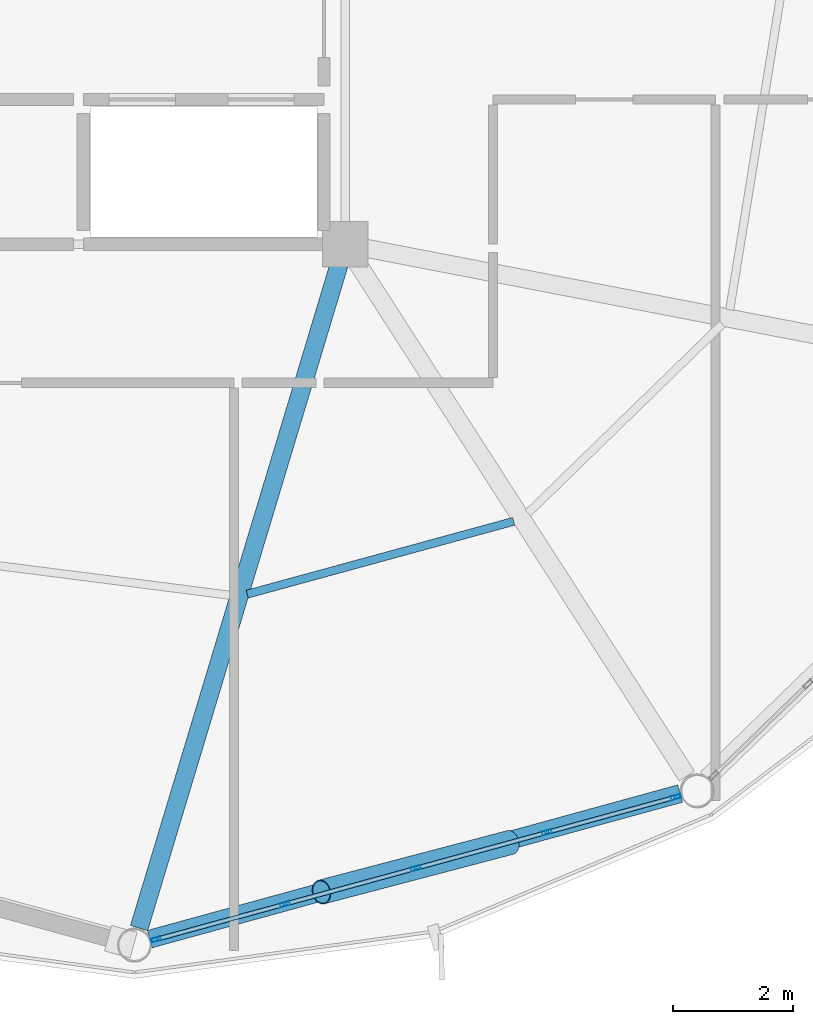
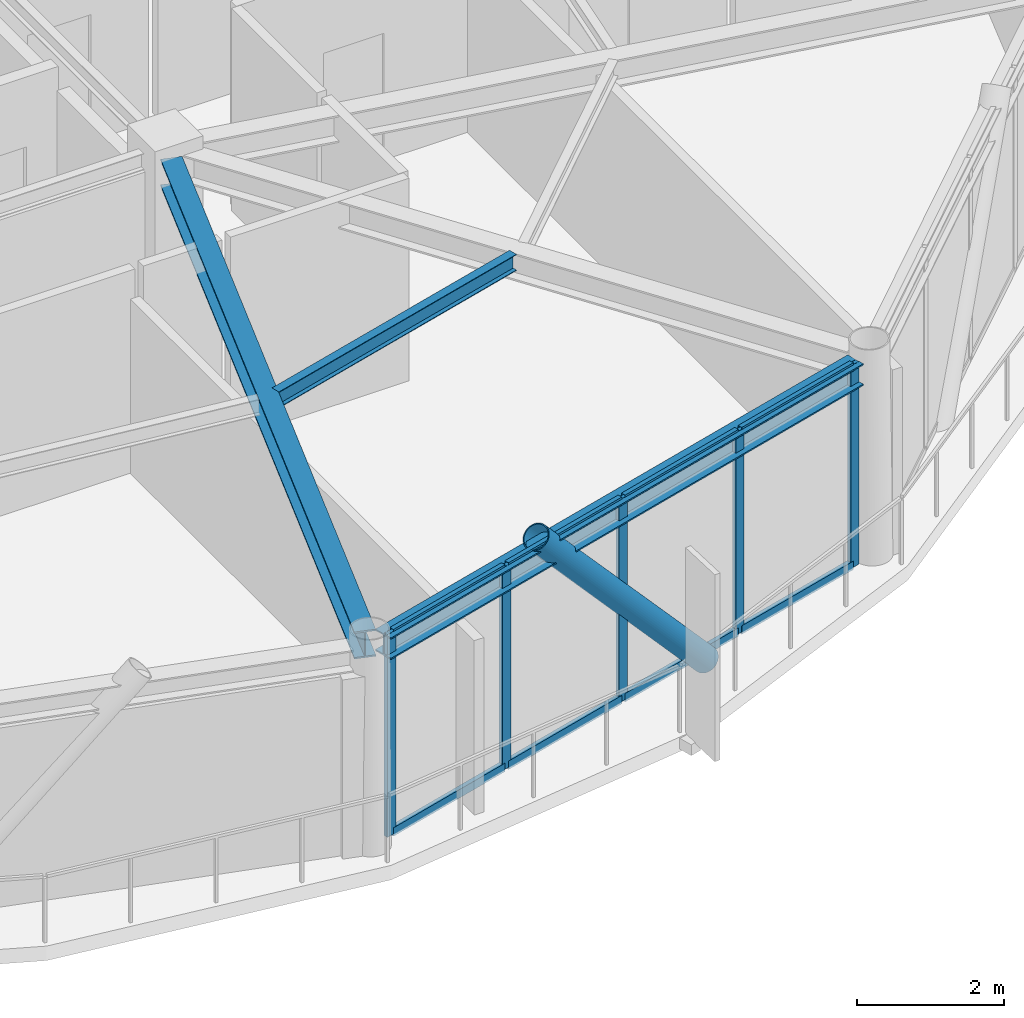
# One storey, part 7 of 27: 14 members, 3 beams, 1 element without a shape of its own.
"""IFC4 building model written with IfcOpenShell, lengths in metres."""

from ifc_helpers import new_model, si_unit, direction, frame, origin, origin_2d, place, context, subcontext, project, spatial, hollow_rectangle, hollow_circle, i_section, extrude, material, layer, layer_set, material_profile, profile_set, type_object, element, aggregate, save


model = new_model("IFC4")

# Units and contexts
model_context = context("Model", 3, precision=1e-05, world=origin(), true_north=direction((0.0, 1.0)))
body_context = subcontext(model_context, "Body", "Model", "MODEL_VIEW")
ifc_project = project(units=[si_unit("LENGTHUNIT", "METRE"), si_unit("AREAUNIT", "SQUARE_METRE"), si_unit("VOLUMEUNIT", "CUBIC_METRE"), si_unit("PLANEANGLEUNIT", "RADIAN"), si_unit("MASSUNIT", "GRAM", prefix="KILO")], contexts=[model_context])

# Site, building, storey
site_placement = place(None, origin())
site = spatial("IfcSite", under=ifc_project, at=site_placement, CompositionType="ELEMENT")
building_placement = place(site_placement, origin())
building = spatial("IfcBuilding", under=site, at=building_placement, Name="Varnakorn Sky Granary", CompositionType="ELEMENT")
storey_placement = place(building_placement, frame((0.0, 0.0, 229.199951171875)))
storey = spatial("IfcBuildingStorey", under=building, at=storey_placement, Name="L58", CompositionType="ELEMENT", Elevation=229.199951171875)

# Beams
ifc_material_1 = material(Name="Steel S355JR", Category="steel")
ifc_material_profile_1 = material_profile(ifc_material_1, i_section(OverallWidth=0.300048828125, OverallDepth=0.449951171875, WebThickness=0.013916015625, FlangeThickness=0.02587890625, at=origin_2d()), Name="HE 450 B")
ifc_profile_set_1 = profile_set([ifc_material_profile_1], Name="Steel S355JR")
beam_type_1 = type_object("IfcBeamType", Name="BM-RAD-Z5", PredefinedType="BEAM", material=ifc_profile_set_1)
beam_1_placement = place(storey_placement, frame((8.24755859375, -6.93994140625, 3.135009765625), z_axis=(-0.288669545209, -0.957428793002, 0.0), x_axis=(0.957428793002, -0.288669545209, 0.0)))
element("IfcBeam", 1, at=beam_1_placement, inside=storey, type_object=beam_type_1, Name="Radial Floor Girder RG10 L58", PredefinedType="BEAM", context=body_context, shape_type="SweptSolid", body=[
    extrude(i_section(OverallWidth=0.300048828125, OverallDepth=0.449951171875, WebThickness=0.013916015625, FlangeThickness=0.02587890625, at=origin_2d()), origin(), (0.0, 0.0, 1.0), 11.504638671875),
])
ifc_material_profile_2 = material_profile(ifc_material_1, i_section(OverallWidth=0.135009765625, OverallDepth=0.27001953125, WebThickness=0.006591796875, FlangeThickness=0.01025390625, at=origin_2d()), Name="IPE 270")
ifc_profile_set_2 = profile_set([ifc_material_profile_2], Name="Steel S355JR")
beam_type_2 = type_object("IfcBeamType", Name="BM-SEC-Z5", PredefinedType="BEAM", material=ifc_profile_set_2)
beam_2_placement = place(storey_placement, frame((6.721923828125, -12.410400390625, 3.22509765625), z_axis=(0.964621220556, 0.263639717899, 0.0), x_axis=(-0.263639717899, 0.964621220556, 0.0)))
element("IfcBeam", 2, at=beam_2_placement, inside=storey, type_object=beam_type_2, Name="Secondary Floor Chord Beam MSB10 L58", PredefinedType="BEAM", context=body_context, shape_type="SweptSolid", body=[
    extrude(i_section(OverallWidth=0.135009765625, OverallDepth=0.27001953125, WebThickness=0.006591796875, FlangeThickness=0.01025390625, at=origin_2d()), origin(), (0.0, 0.0, 1.0), 4.587646484375),
])
ifc_material_profile_3 = material_profile(ifc_material_1, i_section(OverallWidth=0.300048828125, OverallDepth=0.360107421875, WebThickness=0.012451171875, FlangeThickness=0.0224609375, at=origin_2d()), Name="HE 360 B")
ifc_profile_set_3 = profile_set([ifc_material_profile_3], Name="Steel S355JR")
beam_type_3 = type_object("IfcBeamType", Name="BM-SPD-Z5", PredefinedType="SPANDREL", material=ifc_profile_set_3)
beam_3_placement = place(storey_placement, frame((5.10498046875, -18.137939453125, 3.179931640625), z_axis=(0.964351705394, 0.264623861932, 0.0), x_axis=(-0.264623861932, 0.964351705394, 0.0)))
element("IfcBeam", 3, at=beam_3_placement, inside=storey, type_object=beam_type_3, Name="Perimeter Spandrel Ring Beam RB10 L58", PredefinedType="SPANDREL", context=body_context, shape_type="SweptSolid", body=[
    extrude(i_section(OverallWidth=0.300048828125, OverallDepth=0.360107421875, WebThickness=0.012451171875, FlangeThickness=0.0224609375, at=origin_2d()), origin(), (0.0, 0.0, 1.0), 9.130859375),
])

# Curtain wall, members
ifc_material_2 = material(Name="Anodised Bronze Aluminium Alloy 6063-T6", Category="aluminium")
ifc_layer = layer(ifc_material_2, 0.169921875, Name="Anodised Bronze Aluminium Alloy 6063-T6")
ifc_layer_set = layer_set([ifc_layer], Name="Anodised Bronze Aluminium Alloy 6063-T6")
curtain_wall_type = type_object("IfcCurtainWallType", Name="CW-LAB-1", PredefinedType="USERDEFINED", material=ifc_layer_set)
curtain_wall_placement = place(storey_placement, origin())
curtain_wall = element("IfcCurtainWall", 4, at=curtain_wall_placement, inside=storey, type_object=curtain_wall_type, Name="Unitised Curtain Wall CW5 CW-L58-B10", ObjectType="CURTAIN WALL", PredefinedType="USERDEFINED")
ifc_material_profile_4 = material_profile(ifc_material_2, hollow_rectangle(XDim=0.06494140625, YDim=0.159912109375, WallThickness=0.00341796875, at=origin_2d()), Name="ALU MULL 65x160")
ifc_profile_set_4 = profile_set([ifc_material_profile_4], Name="Anodised Bronze Aluminium Alloy 6063-T6")
member_type_1 = type_object("IfcMemberType", Name="CW-LAB-1-MULL", PredefinedType="MULLION", material=ifc_profile_set_4)
member_1_placement = place(storey_placement, frame((13.8408203125, -15.779296875, 0.0), z_axis=(0.0, 0.0, 1.0), x_axis=(0.264172247962, -0.964475517267, 0.0)))
member_1 = element("IfcMember", 5, at=member_1_placement, type_object=member_type_1, Name="CW5 mullion 1", PredefinedType="MULLION", context=body_context, shape_type="SweptSolid", body=[
    extrude(hollow_rectangle(XDim=0.06494140625, YDim=0.159912109375, WallThickness=0.00341796875, at=origin_2d()), origin(), (0.0, 0.0, 1.0), 3.360107421875),
])
member_2_placement = place(storey_placement, frame((11.698486328125, -16.3662109375, 0.0), z_axis=(0.0, 0.0, 1.0), x_axis=(0.264172247962, -0.964475517267, 0.0)))
member_2 = element("IfcMember", 6, at=member_2_placement, type_object=member_type_1, Name="CW5 mullion 2", PredefinedType="MULLION", context=body_context, shape_type="SweptSolid", body=[
    extrude(hollow_rectangle(XDim=0.06494140625, YDim=0.159912109375, WallThickness=0.00341796875, at=origin_2d()), origin(), (0.0, 0.0, 1.0), 3.360107421875),
])
member_3_placement = place(storey_placement, frame((9.524658203125, -16.961669921875, 0.0), z_axis=(0.0, 0.0, 1.0), x_axis=(0.264172247962, -0.964475517267, 0.0)))
member_3 = element("IfcMember", 7, at=member_3_placement, type_object=member_type_1, Name="CW5 mullion 3", PredefinedType="MULLION", context=body_context, shape_type="SweptSolid", body=[
    extrude(hollow_rectangle(XDim=0.06494140625, YDim=0.159912109375, WallThickness=0.00341796875, at=origin_2d()), origin(), (0.0, 0.0, 1.0), 3.360107421875),
])
member_4_placement = place(storey_placement, frame((7.35107421875, -17.556884765625, 0.0), z_axis=(0.0, 0.0, 1.0), x_axis=(0.264172247962, -0.964475517267, 0.0)))
member_4 = element("IfcMember", 8, at=member_4_placement, type_object=member_type_1, Name="CW5 mullion 4", PredefinedType="MULLION", context=body_context, shape_type="SweptSolid", body=[
    extrude(hollow_rectangle(XDim=0.06494140625, YDim=0.159912109375, WallThickness=0.00341796875, at=origin_2d()), origin(), (0.0, 0.0, 1.0), 3.360107421875),
])
member_5_placement = place(storey_placement, frame((5.208740234375, -18.143798828125, 0.0), z_axis=(0.0, 0.0, 1.0), x_axis=(0.264172247962, -0.964475517267, 0.0)))
member_5 = element("IfcMember", 9, at=member_5_placement, type_object=member_type_1, Name="CW5 mullion 5", PredefinedType="MULLION", context=body_context, shape_type="SweptSolid", body=[
    extrude(hollow_rectangle(XDim=0.06494140625, YDim=0.159912109375, WallThickness=0.00341796875, at=origin_2d()), origin(), (0.0, 0.0, 1.0), 3.360107421875),
])
ifc_material_profile_5 = material_profile(ifc_material_2, hollow_rectangle(XDim=0.070068359375, YDim=0.139892578125, WallThickness=0.00341796875, at=origin_2d()), Name="ALU TRAN 70x140")
ifc_profile_set_5 = profile_set([ifc_material_profile_5], Name="Anodised Bronze Aluminium Alloy 6063-T6")
member_type_2 = type_object("IfcMemberType", Name="CW-LAB-1-TRAN", PredefinedType="USERDEFINED", material=ifc_profile_set_5)
member_6_placement = place(storey_placement, frame((13.809326171875, -15.7880859375, 0.03515625), z_axis=(-0.964478443367, -0.264161564731, 0.0), x_axis=(0.264161564731, -0.964478443367, 0.0)))
member_6 = element("IfcMember", 10, at=member_6_placement, type_object=member_type_2, Name="CW5 transom 1.1", ObjectType="TRANSOM", PredefinedType="USERDEFINED", context=body_context, shape_type="SweptSolid", body=[
    extrude(hollow_rectangle(XDim=0.070068359375, YDim=0.139892578125, WallThickness=0.00341796875, at=origin_2d()), origin(), (0.0, 0.0, 1.0), 2.15625),
])
member_7_placement = place(storey_placement, frame((13.809326171875, -15.7880859375, 3.324951171875), z_axis=(-0.964478443367, -0.264161564731, 0.0), x_axis=(0.264161564731, -0.964478443367, 0.0)))
member_7 = element("IfcMember", 11, at=member_7_placement, type_object=member_type_2, Name="CW5 transom 1.2", ObjectType="TRANSOM", PredefinedType="USERDEFINED", context=body_context, shape_type="SweptSolid", body=[
    extrude(hollow_rectangle(XDim=0.070068359375, YDim=0.139892578125, WallThickness=0.00341796875, at=origin_2d()), origin(), (0.0, 0.0, 1.0), 2.15625),
])
member_8_placement = place(storey_placement, frame((11.6669921875, -16.374755859375, 0.03515625), z_axis=(-0.964480091622, -0.264155546722, 0.0), x_axis=(0.264155546722, -0.964480091622, 0.0)))
member_8 = element("IfcMember", 12, at=member_8_placement, type_object=member_type_2, Name="CW5 transom 2.1", ObjectType="TRANSOM", PredefinedType="USERDEFINED", context=body_context, shape_type="SweptSolid", body=[
    extrude(hollow_rectangle(XDim=0.070068359375, YDim=0.139892578125, WallThickness=0.00341796875, at=origin_2d()), origin(), (0.0, 0.0, 1.0), 2.1884765625),
])
member_9_placement = place(storey_placement, frame((11.6669921875, -16.374755859375, 3.324951171875), z_axis=(-0.964480091622, -0.264155546722, 0.0), x_axis=(0.264155546722, -0.964480091622, 0.0)))
member_9 = element("IfcMember", 13, at=member_9_placement, type_object=member_type_2, Name="CW5 transom 2.2", ObjectType="TRANSOM", PredefinedType="USERDEFINED", context=body_context, shape_type="SweptSolid", body=[
    extrude(hollow_rectangle(XDim=0.070068359375, YDim=0.139892578125, WallThickness=0.00341796875, at=origin_2d()), origin(), (0.0, 0.0, 1.0), 2.1884765625),
])
member_10_placement = place(storey_placement, frame((9.493408203125, -16.97021484375, 0.03515625), z_axis=(-0.964487874271, -0.264127129209, 0.0), x_axis=(0.264127129209, -0.964487874271, 0.0)))
member_10 = element("IfcMember", 14, at=member_10_placement, type_object=member_type_2, Name="CW5 transom 3.1", ObjectType="TRANSOM", PredefinedType="USERDEFINED", context=body_context, shape_type="SweptSolid", body=[
    extrude(hollow_rectangle(XDim=0.070068359375, YDim=0.139892578125, WallThickness=0.00341796875, at=origin_2d()), origin(), (0.0, 0.0, 1.0), 2.188720703125),
])
member_11_placement = place(storey_placement, frame((9.493408203125, -16.97021484375, 3.324951171875), z_axis=(-0.964487874271, -0.264127129209, 0.0), x_axis=(0.264127129209, -0.964487874271, 0.0)))
member_11 = element("IfcMember", 15, at=member_11_placement, type_object=member_type_2, Name="CW5 transom 3.2", ObjectType="TRANSOM", PredefinedType="USERDEFINED", context=body_context, shape_type="SweptSolid", body=[
    extrude(hollow_rectangle(XDim=0.070068359375, YDim=0.139892578125, WallThickness=0.00341796875, at=origin_2d()), origin(), (0.0, 0.0, 1.0), 2.188720703125),
])
member_12_placement = place(storey_placement, frame((7.31982421875, -17.5654296875, 0.03515625), z_axis=(-0.964486343292, -0.264132719674, 0.0), x_axis=(0.264132719674, -0.964486343292, 0.0)))
member_12 = element("IfcMember", 16, at=member_12_placement, type_object=member_type_2, Name="CW5 transom 4.1", ObjectType="TRANSOM", PredefinedType="USERDEFINED", context=body_context, shape_type="SweptSolid", body=[
    extrude(hollow_rectangle(XDim=0.070068359375, YDim=0.139892578125, WallThickness=0.00341796875, at=origin_2d()), origin(), (0.0, 0.0, 1.0), 2.156494140625),
])
member_13_placement = place(storey_placement, frame((7.31982421875, -17.5654296875, 3.324951171875), z_axis=(-0.964486343292, -0.264132719674, 0.0), x_axis=(0.264132719674, -0.964486343292, 0.0)))
member_13 = element("IfcMember", 17, at=member_13_placement, type_object=member_type_2, Name="CW5 transom 4.2", ObjectType="TRANSOM", PredefinedType="USERDEFINED", context=body_context, shape_type="SweptSolid", body=[
    extrude(hollow_rectangle(XDim=0.070068359375, YDim=0.139892578125, WallThickness=0.00341796875, at=origin_2d()), origin(), (0.0, 0.0, 1.0), 2.156494140625),
])
aggregate(curtain_wall, [member_1, member_2, member_3, member_4, member_5, member_6, member_7, member_8, member_9, member_10, member_11, member_12, member_13])

# Member
ifc_material_3 = material(Name="Steel S460M", Category="steel")
ifc_material_profile_6 = material_profile(ifc_material_3, hollow_circle(Radius=0.203125, WallThickness=0.01611328125, at=origin_2d()), Name="CHS 406.4x16")
ifc_profile_set_6 = profile_set([ifc_material_profile_6], Name="Steel S460M")
member_type_3 = type_object("IfcMemberType", Name="MB-DIAG-T4", PredefinedType="BRACE", material=ifc_profile_set_6)
member_14_placement = place(storey_placement, frame((11.0830078125, -16.53466796875, -0.1298828125), z_axis=(-0.6443939472, -0.169196162846, 0.745740638084), x_axis=(0.253958160294, -0.967215205019, 0.0)))
element("IfcMember", 18, at=member_14_placement, inside=storey, type_object=member_type_3, Name="Perimeter CHS Diagrid Brace DG10 L58", PredefinedType="BRACE", context=body_context, shape_type="SweptSolid", body=[
    extrude(hollow_circle(Radius=0.203125, WallThickness=0.01611328125, at=origin_2d()), origin(), (0.0, 0.0, 1.0), 4.85400390625),
])

save(model, "model.ifc")
